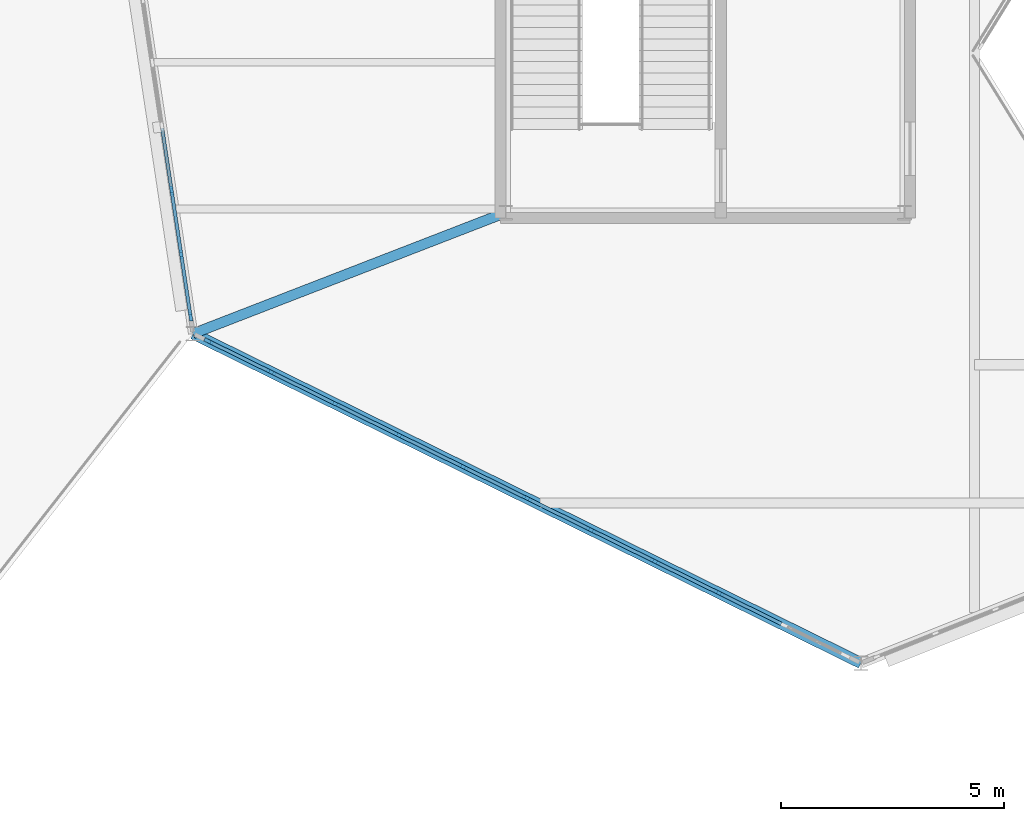
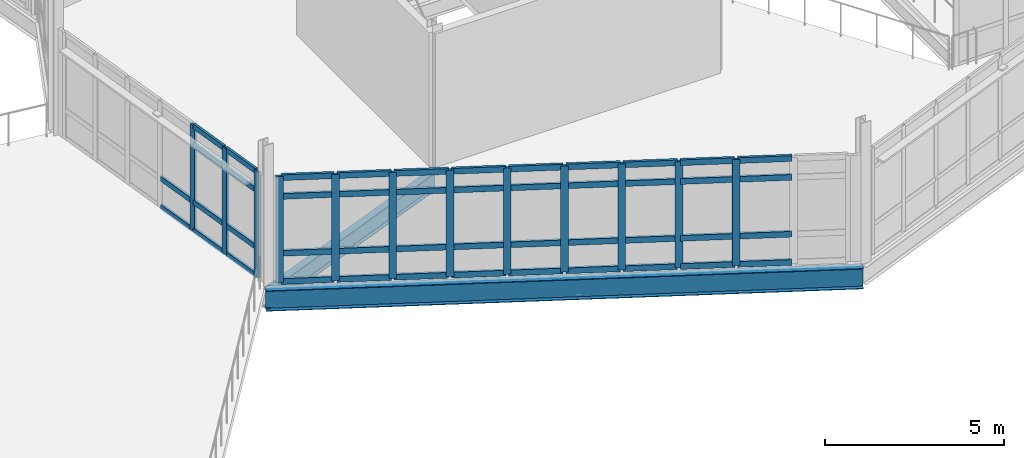
# One storey, part 26 of 114: 58 members, 2 beams, 2 elements without a shape of their own.
"""IFC4 building model written with IfcOpenShell, lengths in metres."""

from ifc_helpers import new_model, si_unit, direction, frame, origin, origin_2d, place, context, subcontext, project, spatial, rectangle, i_section, extrude, material, material_profile, profile_set, type_object, element, aggregate, save


model = new_model("IFC4")

# Units and contexts
model_context = context("Model", 3, precision=1e-05, world=origin(), true_north=direction((0.0, 1.0)))
body_context = subcontext(model_context, "Body", "Model", "MODEL_VIEW")
ifc_project = project(units=[si_unit("LENGTHUNIT", "METRE"), si_unit("AREAUNIT", "SQUARE_METRE"), si_unit("VOLUMEUNIT", "CUBIC_METRE"), si_unit("PLANEANGLEUNIT", "RADIAN"), si_unit("MASSUNIT", "GRAM", prefix="KILO")], contexts=[model_context])

# Site, building, storey
site_placement = place(None, origin())
site = spatial("IfcSite", under=ifc_project, at=site_placement, CompositionType="ELEMENT")
building_placement = place(site_placement, origin())
building = spatial("IfcBuilding", under=site, at=building_placement, Name="Tameran Prism Museum", CompositionType="ELEMENT")
storey_placement = place(building_placement, frame((0.0, 0.0, 10.199951171875)))
storey = spatial("IfcBuildingStorey", under=building, at=storey_placement, Name="L02", CompositionType="ELEMENT", Elevation=10.199951171875)

# Beams
ifc_material_1 = material(Name="Steel Grade 350 (350 MPa)", Category="steel")
ifc_material_profile_1 = material_profile(ifc_material_1, i_section(OverallWidth=0.25, OverallDepth=0.699951171875, WebThickness=0.010009765625, FlangeThickness=0.02001953125, at=origin_2d()))
ifc_profile_set_1 = profile_set([ifc_material_profile_1])
beam_type_1 = type_object("IfcBeamType", Name="BM-SP700", PredefinedType="SPANDREL", material=ifc_profile_set_1)
beam_1_placement = place(storey_placement, frame((51.0, 30.199951171875, -0.550048828125), z_axis=(0.896808201334, -0.44241954073, 0.0), x_axis=(0.44241954073, 0.896808201334, 0.0)))
element("IfcBeam", 1, at=beam_1_placement, inside=storey, type_object=beam_type_1, Name="Perimeter Spandrel SP-0680", PredefinedType="SPANDREL", context=body_context, shape_type="SweptSolid", body=[
    extrude(i_section(OverallWidth=0.25, OverallDepth=0.699951171875, WebThickness=0.010009765625, FlangeThickness=0.02001953125, at=origin_2d()), origin(), (0.0, 0.0, 1.0), 16.72607421875),
])
ifc_material_2 = material(Name="Steel Grade 300PLUS (300 MPa)", Category="steel")
ifc_material_profile_2 = material_profile(ifc_material_2, i_section(OverallWidth=0.22900390625, OverallDepth=0.612060546875, WebThickness=0.011962890625, FlangeThickness=0.01953125, FilletRadius=0.013916015625, at=origin_2d()))
ifc_profile_set_2 = profile_set([ifc_material_profile_2])
beam_type_2 = type_object("IfcBeamType", Name="BM-UB610A", PredefinedType="BEAM", material=ifc_profile_set_2)
beam_2_placement = place(storey_placement, frame((58.02001953125, 32.919921875, -0.56005859375), z_axis=(-0.932454302141, -0.361287938379, 0.0), x_axis=(0.361287938379, -0.932454302141, 0.0)))
element("IfcBeam", 2, at=beam_2_placement, inside=storey, type_object=beam_type_2, Name="Frame Tie Girder FG-1412", PredefinedType="BEAM", context=body_context, shape_type="SweptSolid", body=[
    extrude(i_section(OverallWidth=0.22900390625, OverallDepth=0.612060546875, WebThickness=0.011962890625, FlangeThickness=0.01953125, FilletRadius=0.013916015625, at=origin_2d()), origin(), (0.0, 0.0, 1.0), 7.528564453125),
])

# Curtain wall, members
ifc_material_3 = material(Name="Anodised Aluminium 6063-T6 and Cyclone Solar Glass", Category="aluminium")
curtain_wall_type_1 = type_object("IfcCurtainWallType", Name="CW-FAC-870x362", PredefinedType="USERDEFINED", material=ifc_material_3)
curtain_wall_1_placement = place(storey_placement, origin())
curtain_wall_1 = element("IfcCurtainWall", 3, at=curtain_wall_1_placement, inside=storey, type_object=curtain_wall_type_1, Name="Unitised Curtain Wall CW-105", ObjectType="UNITISED CURTAIN WALL", PredefinedType="USERDEFINED")
ifc_material_4 = material(Name="Anodised Aluminium Alloy 6063-T6", Category="aluminium")
ifc_material_profile_3 = material_profile(ifc_material_4, rectangle(XDim=0.074951171875, YDim=0.199951171875, at=origin_2d()))
ifc_profile_set_3 = profile_set([ifc_material_profile_3])
member_type_1 = type_object("IfcMemberType", Name="CW-MUL-C", PredefinedType="MULLION", material=ifc_profile_set_3)
member_1_placement = place(storey_placement, frame((50.9423828125, 30.5830078125, 0.0), z_axis=(0.0, 0.0, 1.0), x_axis=(-0.988855314933, -0.148879703546, 0.0)))
member_1 = element("IfcMember", 4, at=member_1_placement, type_object=member_type_1, Name="CW-105 mullion 1", PredefinedType="MULLION", context=body_context, shape_type="SweptSolid", body=[
    extrude(rectangle(XDim=0.074951171875, YDim=0.199951171875, at=origin_2d()), origin(), (0.0, 0.0, 1.0), 3.6201171875),
])
member_2_placement = place(storey_placement, frame((50.73193359375, 31.980712890625, 0.0), z_axis=(0.0, 0.0, 1.0), x_axis=(-0.988855314933, -0.148879703546, 0.0)))
member_2 = element("IfcMember", 5, at=member_2_placement, type_object=member_type_1, Name="CW-105 mullion 2", PredefinedType="MULLION", context=body_context, shape_type="SweptSolid", body=[
    extrude(rectangle(XDim=0.074951171875, YDim=0.199951171875, at=origin_2d()), origin(), (0.0, 0.0, 1.0), 3.6201171875),
])
member_3_placement = place(storey_placement, frame((50.51611328125, 33.415283203125, 0.0), z_axis=(0.0, 0.0, 1.0), x_axis=(-0.988855314933, -0.148879703546, 0.0)))
member_3 = element("IfcMember", 6, at=member_3_placement, type_object=member_type_1, Name="CW-105 mullion 3", PredefinedType="MULLION", context=body_context, shape_type="SweptSolid", body=[
    extrude(rectangle(XDim=0.074951171875, YDim=0.199951171875, at=origin_2d()), origin(), (0.0, 0.0, 1.0), 3.6201171875),
])

ifc_material_5 = material(Name="Anodised Aluminium 6063-T6 and Cyclone Solar Glass", Category="aluminium")
curtain_wall_type_2 = type_object("IfcCurtainWallType", Name="CW-FAC-1603x362", PredefinedType="USERDEFINED", material=ifc_material_5)
curtain_wall_2_placement = place(storey_placement, origin())
curtain_wall_2 = element("IfcCurtainWall", 7, at=curtain_wall_2_placement, inside=storey, type_object=curtain_wall_type_2, Name="Unitised Curtain Wall CW-106", ObjectType="UNITISED CURTAIN WALL", PredefinedType="USERDEFINED")
ifc_material_6 = material(Name="Anodised Aluminium Alloy 6063-T6", Category="aluminium")
ifc_material_profile_4 = material_profile(ifc_material_6, rectangle(XDim=0.080078125, YDim=0.219970703125, at=origin_2d()))
ifc_profile_set_4 = profile_set([ifc_material_profile_4])
member_type_2 = type_object("IfcMemberType", Name="CW-MUL-D", PredefinedType="MULLION", material=ifc_profile_set_4)
member_4_placement = place(storey_placement, frame((62.8115234375, 24.373046875, 0.0), z_axis=(0.0, 0.0, 1.0), x_axis=(-0.44241486846, -0.896810506275, 0.0)))
member_4 = element("IfcMember", 8, at=member_4_placement, type_object=member_type_2, Name="CW-106 mullion 3", PredefinedType="MULLION", context=body_context, shape_type="SweptSolid", body=[
    extrude(rectangle(XDim=0.080078125, YDim=0.219970703125, at=origin_2d()), origin(), (0.0, 0.0, 1.0), 3.6201171875),
])
member_5_placement = place(storey_placement, frame((61.37451171875, 25.08203125, 0.0), z_axis=(0.0, 0.0, 1.0), x_axis=(-0.44241486846, -0.896810506275, 0.0)))
member_5 = element("IfcMember", 9, at=member_5_placement, type_object=member_type_2, Name="CW-106 mullion 4", PredefinedType="MULLION", context=body_context, shape_type="SweptSolid", body=[
    extrude(rectangle(XDim=0.080078125, YDim=0.219970703125, at=origin_2d()), origin(), (0.0, 0.0, 1.0), 3.6201171875),
])
member_6_placement = place(storey_placement, frame((59.937255859375, 25.791015625, 0.0), z_axis=(0.0, 0.0, 1.0), x_axis=(-0.44241486846, -0.896810506275, 0.0)))
member_6 = element("IfcMember", 10, at=member_6_placement, type_object=member_type_2, Name="CW-106 mullion 5", PredefinedType="MULLION", context=body_context, shape_type="SweptSolid", body=[
    extrude(rectangle(XDim=0.080078125, YDim=0.219970703125, at=origin_2d()), origin(), (0.0, 0.0, 1.0), 3.6201171875),
])
member_7_placement = place(storey_placement, frame((58.5, 26.5, 0.0), z_axis=(0.0, 0.0, 1.0), x_axis=(-0.44241486846, -0.896810506275, 0.0)))
member_7 = element("IfcMember", 11, at=member_7_placement, type_object=member_type_2, Name="CW-106 mullion 6", PredefinedType="MULLION", context=body_context, shape_type="SweptSolid", body=[
    extrude(rectangle(XDim=0.080078125, YDim=0.219970703125, at=origin_2d()), origin(), (0.0, 0.0, 1.0), 3.6201171875),
])
member_8_placement = place(storey_placement, frame((57.062744140625, 27.208984375, 0.0), z_axis=(0.0, 0.0, 1.0), x_axis=(-0.44241486846, -0.896810506275, 0.0)))
member_8 = element("IfcMember", 12, at=member_8_placement, type_object=member_type_2, Name="CW-106 mullion 7", PredefinedType="MULLION", context=body_context, shape_type="SweptSolid", body=[
    extrude(rectangle(XDim=0.080078125, YDim=0.219970703125, at=origin_2d()), origin(), (0.0, 0.0, 1.0), 3.6201171875),
])
member_9_placement = place(storey_placement, frame((55.62548828125, 27.91796875, 0.0), z_axis=(0.0, 0.0, 1.0), x_axis=(-0.44241486846, -0.896810506275, 0.0)))
member_9 = element("IfcMember", 13, at=member_9_placement, type_object=member_type_2, Name="CW-106 mullion 8", PredefinedType="MULLION", context=body_context, shape_type="SweptSolid", body=[
    extrude(rectangle(XDim=0.080078125, YDim=0.219970703125, at=origin_2d()), origin(), (0.0, 0.0, 1.0), 3.6201171875),
])
member_10_placement = place(storey_placement, frame((54.1884765625, 28.626953125, 0.0), z_axis=(0.0, 0.0, 1.0), x_axis=(-0.44241486846, -0.896810506275, 0.0)))
member_10 = element("IfcMember", 14, at=member_10_placement, type_object=member_type_2, Name="CW-106 mullion 9", PredefinedType="MULLION", context=body_context, shape_type="SweptSolid", body=[
    extrude(rectangle(XDim=0.080078125, YDim=0.219970703125, at=origin_2d()), origin(), (0.0, 0.0, 1.0), 3.6201171875),
])
member_11_placement = place(storey_placement, frame((52.751220703125, 29.3359375, 0.0), z_axis=(0.0, 0.0, 1.0), x_axis=(-0.44241486846, -0.896810506275, 0.0)))
member_11 = element("IfcMember", 15, at=member_11_placement, type_object=member_type_2, Name="CW-106 mullion 10", PredefinedType="MULLION", context=body_context, shape_type="SweptSolid", body=[
    extrude(rectangle(XDim=0.080078125, YDim=0.219970703125, at=origin_2d()), origin(), (0.0, 0.0, 1.0), 3.6201171875),
])
member_12_placement = place(storey_placement, frame((51.349853515625, 30.02734375, 0.0), z_axis=(0.0, 0.0, 1.0), x_axis=(-0.44241486846, -0.896810506275, 0.0)))
member_12 = element("IfcMember", 16, at=member_12_placement, type_object=member_type_2, Name="CW-106 mullion 11", PredefinedType="MULLION", context=body_context, shape_type="SweptSolid", body=[
    extrude(rectangle(XDim=0.080078125, YDim=0.219970703125, at=origin_2d()), origin(), (0.0, 0.0, 1.0), 3.6201171875),
])

# Member
ifc_material_7 = material(Name="Anodised Aluminium Alloy 6063-T6", Category="aluminium")
ifc_material_profile_5 = material_profile(ifc_material_7, rectangle(XDim=0.074951171875, YDim=0.175048828125, at=origin_2d()))
ifc_profile_set_5 = profile_set([ifc_material_profile_5])
member_type_3 = type_object("IfcMemberType", Name="CW-TRN-C", PredefinedType="USERDEFINED", material=ifc_profile_set_5)
member_13_placement = place(storey_placement, frame((50.936767578125, 30.6201171875, 0.03759765625), z_axis=(-0.148848870067, 0.988859956657, 0.0), x_axis=(-0.988859956657, -0.148848870067, 0.0)))
member_13 = element("IfcMember", 17, at=member_13_placement, type_object=member_type_3, Name="CW-105 transom 1.1", ObjectType="TRANSOM", PredefinedType="USERDEFINED", context=body_context, shape_type="SweptSolid", body=[
    extrude(rectangle(XDim=0.074951171875, YDim=0.175048828125, at=origin_2d()), origin(), (0.0, 0.0, 1.0), 1.33837890625),
])

member_14_placement = place(storey_placement, frame((50.936767578125, 30.6201171875, 1.0), z_axis=(-0.148848870067, 0.988859956657, 0.0), x_axis=(-0.988859956657, -0.148848870067, 0.0)))
member_14 = element("IfcMember", 18, at=member_14_placement, type_object=member_type_3, Name="CW-105 transom 1.2", ObjectType="TRANSOM", PredefinedType="USERDEFINED", context=body_context, shape_type="SweptSolid", body=[
    extrude(rectangle(XDim=0.074951171875, YDim=0.175048828125, at=origin_2d()), origin(), (0.0, 0.0, 1.0), 1.33837890625),
])

member_15_placement = place(storey_placement, frame((50.936767578125, 30.6201171875, 2.93994140625), z_axis=(-0.148848870067, 0.988859956657, 0.0), x_axis=(-0.988859956657, -0.148848870067, 0.0)))
member_15 = element("IfcMember", 19, at=member_15_placement, type_object=member_type_3, Name="CW-105 transom 1.3", ObjectType="TRANSOM", PredefinedType="USERDEFINED", context=body_context, shape_type="SweptSolid", body=[
    extrude(rectangle(XDim=0.074951171875, YDim=0.175048828125, at=origin_2d()), origin(), (0.0, 0.0, 1.0), 1.33837890625),
])

member_16_placement = place(storey_placement, frame((50.936767578125, 30.6201171875, 3.58251953125), z_axis=(-0.148848870067, 0.988859956657, 0.0), x_axis=(-0.988859956657, -0.148848870067, 0.0)))
member_16 = element("IfcMember", 20, at=member_16_placement, type_object=member_type_3, Name="CW-105 transom 1.4", ObjectType="TRANSOM", PredefinedType="USERDEFINED", context=body_context, shape_type="SweptSolid", body=[
    extrude(rectangle(XDim=0.074951171875, YDim=0.175048828125, at=origin_2d()), origin(), (0.0, 0.0, 1.0), 1.33837890625),
])

member_17_placement = place(storey_placement, frame((50.726318359375, 32.017822265625, 0.03759765625), z_axis=(-0.148895831281, 0.988852886646, 0.0), x_axis=(-0.988852886646, -0.148895831281, 0.0)))
member_17 = element("IfcMember", 21, at=member_17_placement, type_object=member_type_3, Name="CW-105 transom 2.1", ObjectType="TRANSOM", PredefinedType="USERDEFINED", context=body_context, shape_type="SweptSolid", body=[
    extrude(rectangle(XDim=0.074951171875, YDim=0.175048828125, at=origin_2d()), origin(), (0.0, 0.0, 1.0), 1.375732421875),
])

member_18_placement = place(storey_placement, frame((50.726318359375, 32.017822265625, 1.0), z_axis=(-0.148895831281, 0.988852886646, 0.0), x_axis=(-0.988852886646, -0.148895831281, 0.0)))
member_18 = element("IfcMember", 22, at=member_18_placement, type_object=member_type_3, Name="CW-105 transom 2.2", ObjectType="TRANSOM", PredefinedType="USERDEFINED", context=body_context, shape_type="SweptSolid", body=[
    extrude(rectangle(XDim=0.074951171875, YDim=0.175048828125, at=origin_2d()), origin(), (0.0, 0.0, 1.0), 1.375732421875),
])

member_19_placement = place(storey_placement, frame((50.726318359375, 32.017822265625, 2.93994140625), z_axis=(-0.148895831281, 0.988852886646, 0.0), x_axis=(-0.988852886646, -0.148895831281, 0.0)))
member_19 = element("IfcMember", 23, at=member_19_placement, type_object=member_type_3, Name="CW-105 transom 2.3", ObjectType="TRANSOM", PredefinedType="USERDEFINED", context=body_context, shape_type="SweptSolid", body=[
    extrude(rectangle(XDim=0.074951171875, YDim=0.175048828125, at=origin_2d()), origin(), (0.0, 0.0, 1.0), 1.375732421875),
])

member_20_placement = place(storey_placement, frame((50.726318359375, 32.017822265625, 3.58251953125), z_axis=(-0.148895831281, 0.988852886646, 0.0), x_axis=(-0.988852886646, -0.148895831281, 0.0)))
member_20 = element("IfcMember", 24, at=member_20_placement, type_object=member_type_3, Name="CW-105 transom 2.4", ObjectType="TRANSOM", PredefinedType="USERDEFINED", context=body_context, shape_type="SweptSolid", body=[
    extrude(rectangle(XDim=0.074951171875, YDim=0.175048828125, at=origin_2d()), origin(), (0.0, 0.0, 1.0), 1.375732421875),
])

member_21_placement = place(storey_placement, frame((50.510498046875, 33.452392578125, 0.03759765625), z_axis=(-0.148869706091, 0.988856820075, 0.0), x_axis=(-0.988856820075, -0.148869706091, 0.0)))
member_21 = element("IfcMember", 25, at=member_21_placement, type_object=member_type_3, Name="CW-105 transom 3.1", ObjectType="TRANSOM", PredefinedType="USERDEFINED", context=body_context, shape_type="SweptSolid", body=[
    extrude(rectangle(XDim=0.074951171875, YDim=0.175048828125, at=origin_2d()), origin(), (0.0, 0.0, 1.0), 1.3759765625),
])

member_22_placement = place(storey_placement, frame((50.510498046875, 33.452392578125, 1.0), z_axis=(-0.148869706091, 0.988856820075, 0.0), x_axis=(-0.988856820075, -0.148869706091, 0.0)))
member_22 = element("IfcMember", 26, at=member_22_placement, type_object=member_type_3, Name="CW-105 transom 3.2", ObjectType="TRANSOM", PredefinedType="USERDEFINED", context=body_context, shape_type="SweptSolid", body=[
    extrude(rectangle(XDim=0.074951171875, YDim=0.175048828125, at=origin_2d()), origin(), (0.0, 0.0, 1.0), 1.3759765625),
])

aggregate(curtain_wall_1, [member_1, member_2, member_3, member_13, member_14, member_15, member_16, member_17, member_18, member_19, member_20, member_21, member_22])

ifc_material_8 = material(Name="Anodised Aluminium Alloy 6063-T6", Category="aluminium")
ifc_material_profile_6 = material_profile(ifc_material_8, rectangle(XDim=0.080078125, YDim=0.195068359375, at=origin_2d()))
ifc_profile_set_6 = profile_set([ifc_material_profile_6])
member_type_4 = type_object("IfcMemberType", Name="CW-TRN-D", PredefinedType="USERDEFINED", material=ifc_profile_set_6)
member_23_placement = place(storey_placement, frame((64.212890625, 23.681640625, 0.0400390625), z_axis=(-0.896819456741, 0.442396724683, 0.0), x_axis=(-0.442396724683, -0.896819456741, 0.0)))
member_23 = element("IfcMember", 27, at=member_23_placement, type_object=member_type_4, Name="CW-106 transom 2.1", ObjectType="TRANSOM", PredefinedType="USERDEFINED", context=body_context, shape_type="SweptSolid", body=[
    extrude(rectangle(XDim=0.080078125, YDim=0.195068359375, at=origin_2d()), origin(), (0.0, 0.0, 1.0), 1.5224609375),
])

member_24_placement = place(storey_placement, frame((64.212890625, 23.681640625, 1.0), z_axis=(-0.896819456741, 0.442396724683, 0.0), x_axis=(-0.442396724683, -0.896819456741, 0.0)))
member_24 = element("IfcMember", 28, at=member_24_placement, type_object=member_type_4, Name="CW-106 transom 2.2", ObjectType="TRANSOM", PredefinedType="USERDEFINED", context=body_context, shape_type="SweptSolid", body=[
    extrude(rectangle(XDim=0.080078125, YDim=0.195068359375, at=origin_2d()), origin(), (0.0, 0.0, 1.0), 1.5224609375),
])

member_25_placement = place(storey_placement, frame((64.212890625, 23.681640625, 2.93994140625), z_axis=(-0.896819456741, 0.442396724683, 0.0), x_axis=(-0.442396724683, -0.896819456741, 0.0)))
member_25 = element("IfcMember", 29, at=member_25_placement, type_object=member_type_4, Name="CW-106 transom 2.3", ObjectType="TRANSOM", PredefinedType="USERDEFINED", context=body_context, shape_type="SweptSolid", body=[
    extrude(rectangle(XDim=0.080078125, YDim=0.195068359375, at=origin_2d()), origin(), (0.0, 0.0, 1.0), 1.5224609375),
])

member_26_placement = place(storey_placement, frame((64.212890625, 23.681640625, 3.580078125), z_axis=(-0.896819456741, 0.442396724683, 0.0), x_axis=(-0.442396724683, -0.896819456741, 0.0)))
member_26 = element("IfcMember", 30, at=member_26_placement, type_object=member_type_4, Name="CW-106 transom 2.4", ObjectType="TRANSOM", PredefinedType="USERDEFINED", context=body_context, shape_type="SweptSolid", body=[
    extrude(rectangle(XDim=0.080078125, YDim=0.195068359375, at=origin_2d()), origin(), (0.0, 0.0, 1.0), 1.5224609375),
])

member_27_placement = place(storey_placement, frame((62.775634765625, 24.390625, 0.0400390625), z_axis=(-0.896819456741, 0.442396724683, 0.0), x_axis=(-0.442396724683, -0.896819456741, 0.0)))
member_27 = element("IfcMember", 31, at=member_27_placement, type_object=member_type_4, Name="CW-106 transom 3.1", ObjectType="TRANSOM", PredefinedType="USERDEFINED", context=body_context, shape_type="SweptSolid", body=[
    extrude(rectangle(XDim=0.080078125, YDim=0.195068359375, at=origin_2d()), origin(), (0.0, 0.0, 1.0), 1.5224609375),
])

member_28_placement = place(storey_placement, frame((62.775634765625, 24.390625, 1.0), z_axis=(-0.896819456741, 0.442396724683, 0.0), x_axis=(-0.442396724683, -0.896819456741, 0.0)))
member_28 = element("IfcMember", 32, at=member_28_placement, type_object=member_type_4, Name="CW-106 transom 3.2", ObjectType="TRANSOM", PredefinedType="USERDEFINED", context=body_context, shape_type="SweptSolid", body=[
    extrude(rectangle(XDim=0.080078125, YDim=0.195068359375, at=origin_2d()), origin(), (0.0, 0.0, 1.0), 1.5224609375),
])

member_29_placement = place(storey_placement, frame((62.775634765625, 24.390625, 2.93994140625), z_axis=(-0.896819456741, 0.442396724683, 0.0), x_axis=(-0.442396724683, -0.896819456741, 0.0)))
member_29 = element("IfcMember", 33, at=member_29_placement, type_object=member_type_4, Name="CW-106 transom 3.3", ObjectType="TRANSOM", PredefinedType="USERDEFINED", context=body_context, shape_type="SweptSolid", body=[
    extrude(rectangle(XDim=0.080078125, YDim=0.195068359375, at=origin_2d()), origin(), (0.0, 0.0, 1.0), 1.5224609375),
])

member_30_placement = place(storey_placement, frame((62.775634765625, 24.390625, 3.580078125), z_axis=(-0.896819456741, 0.442396724683, 0.0), x_axis=(-0.442396724683, -0.896819456741, 0.0)))
member_30 = element("IfcMember", 34, at=member_30_placement, type_object=member_type_4, Name="CW-106 transom 3.4", ObjectType="TRANSOM", PredefinedType="USERDEFINED", context=body_context, shape_type="SweptSolid", body=[
    extrude(rectangle(XDim=0.080078125, YDim=0.195068359375, at=origin_2d()), origin(), (0.0, 0.0, 1.0), 1.5224609375),
])

member_31_placement = place(storey_placement, frame((61.338623046875, 25.099609375, 0.0400390625), z_axis=(-0.896819456741, 0.442396724683, 0.0), x_axis=(-0.442396724683, -0.896819456741, 0.0)))
member_31 = element("IfcMember", 35, at=member_31_placement, type_object=member_type_4, Name="CW-106 transom 4.1", ObjectType="TRANSOM", PredefinedType="USERDEFINED", context=body_context, shape_type="SweptSolid", body=[
    extrude(rectangle(XDim=0.080078125, YDim=0.195068359375, at=origin_2d()), origin(), (0.0, 0.0, 1.0), 1.5224609375),
])

member_32_placement = place(storey_placement, frame((61.338623046875, 25.099609375, 1.0), z_axis=(-0.896819456741, 0.442396724683, 0.0), x_axis=(-0.442396724683, -0.896819456741, 0.0)))
member_32 = element("IfcMember", 36, at=member_32_placement, type_object=member_type_4, Name="CW-106 transom 4.2", ObjectType="TRANSOM", PredefinedType="USERDEFINED", context=body_context, shape_type="SweptSolid", body=[
    extrude(rectangle(XDim=0.080078125, YDim=0.195068359375, at=origin_2d()), origin(), (0.0, 0.0, 1.0), 1.5224609375),
])

member_33_placement = place(storey_placement, frame((61.338623046875, 25.099609375, 2.93994140625), z_axis=(-0.896819456741, 0.442396724683, 0.0), x_axis=(-0.442396724683, -0.896819456741, 0.0)))
member_33 = element("IfcMember", 37, at=member_33_placement, type_object=member_type_4, Name="CW-106 transom 4.3", ObjectType="TRANSOM", PredefinedType="USERDEFINED", context=body_context, shape_type="SweptSolid", body=[
    extrude(rectangle(XDim=0.080078125, YDim=0.195068359375, at=origin_2d()), origin(), (0.0, 0.0, 1.0), 1.5224609375),
])

member_34_placement = place(storey_placement, frame((61.338623046875, 25.099609375, 3.580078125), z_axis=(-0.896819456741, 0.442396724683, 0.0), x_axis=(-0.442396724683, -0.896819456741, 0.0)))
member_34 = element("IfcMember", 38, at=member_34_placement, type_object=member_type_4, Name="CW-106 transom 4.4", ObjectType="TRANSOM", PredefinedType="USERDEFINED", context=body_context, shape_type="SweptSolid", body=[
    extrude(rectangle(XDim=0.080078125, YDim=0.195068359375, at=origin_2d()), origin(), (0.0, 0.0, 1.0), 1.5224609375),
])

member_35_placement = place(storey_placement, frame((59.9013671875, 25.80859375, 0.0400390625), z_axis=(-0.896755834406, 0.44252567548, 0.0), x_axis=(-0.44252567548, -0.896755834406, 0.0)))
member_35 = element("IfcMember", 39, at=member_35_placement, type_object=member_type_4, Name="CW-106 transom 5.1", ObjectType="TRANSOM", PredefinedType="USERDEFINED", context=body_context, shape_type="SweptSolid", body=[
    extrude(rectangle(XDim=0.080078125, YDim=0.195068359375, at=origin_2d()), origin(), (0.0, 0.0, 1.0), 1.522705078125),
])

member_36_placement = place(storey_placement, frame((59.9013671875, 25.80859375, 1.0), z_axis=(-0.896755834406, 0.44252567548, 0.0), x_axis=(-0.44252567548, -0.896755834406, 0.0)))
member_36 = element("IfcMember", 40, at=member_36_placement, type_object=member_type_4, Name="CW-106 transom 5.2", ObjectType="TRANSOM", PredefinedType="USERDEFINED", context=body_context, shape_type="SweptSolid", body=[
    extrude(rectangle(XDim=0.080078125, YDim=0.195068359375, at=origin_2d()), origin(), (0.0, 0.0, 1.0), 1.522705078125),
])

member_37_placement = place(storey_placement, frame((59.9013671875, 25.80859375, 2.93994140625), z_axis=(-0.896755834406, 0.44252567548, 0.0), x_axis=(-0.44252567548, -0.896755834406, 0.0)))
member_37 = element("IfcMember", 41, at=member_37_placement, type_object=member_type_4, Name="CW-106 transom 5.3", ObjectType="TRANSOM", PredefinedType="USERDEFINED", context=body_context, shape_type="SweptSolid", body=[
    extrude(rectangle(XDim=0.080078125, YDim=0.195068359375, at=origin_2d()), origin(), (0.0, 0.0, 1.0), 1.522705078125),
])

member_38_placement = place(storey_placement, frame((59.9013671875, 25.80859375, 3.580078125), z_axis=(-0.896755834406, 0.44252567548, 0.0), x_axis=(-0.44252567548, -0.896755834406, 0.0)))
member_38 = element("IfcMember", 42, at=member_38_placement, type_object=member_type_4, Name="CW-106 transom 5.4", ObjectType="TRANSOM", PredefinedType="USERDEFINED", context=body_context, shape_type="SweptSolid", body=[
    extrude(rectangle(XDim=0.080078125, YDim=0.195068359375, at=origin_2d()), origin(), (0.0, 0.0, 1.0), 1.522705078125),
])

member_39_placement = place(storey_placement, frame((58.464111328125, 26.517578125, 0.0400390625), z_axis=(-0.896755834406, 0.44252567548, 0.0), x_axis=(-0.44252567548, -0.896755834406, 0.0)))
member_39 = element("IfcMember", 43, at=member_39_placement, type_object=member_type_4, Name="CW-106 transom 6.1", ObjectType="TRANSOM", PredefinedType="USERDEFINED", context=body_context, shape_type="SweptSolid", body=[
    extrude(rectangle(XDim=0.080078125, YDim=0.195068359375, at=origin_2d()), origin(), (0.0, 0.0, 1.0), 1.522705078125),
])

member_40_placement = place(storey_placement, frame((58.464111328125, 26.517578125, 1.0), z_axis=(-0.896755834406, 0.44252567548, 0.0), x_axis=(-0.44252567548, -0.896755834406, 0.0)))
member_40 = element("IfcMember", 44, at=member_40_placement, type_object=member_type_4, Name="CW-106 transom 6.2", ObjectType="TRANSOM", PredefinedType="USERDEFINED", context=body_context, shape_type="SweptSolid", body=[
    extrude(rectangle(XDim=0.080078125, YDim=0.195068359375, at=origin_2d()), origin(), (0.0, 0.0, 1.0), 1.522705078125),
])

member_41_placement = place(storey_placement, frame((58.464111328125, 26.517578125, 2.93994140625), z_axis=(-0.896755834406, 0.44252567548, 0.0), x_axis=(-0.44252567548, -0.896755834406, 0.0)))
member_41 = element("IfcMember", 45, at=member_41_placement, type_object=member_type_4, Name="CW-106 transom 6.3", ObjectType="TRANSOM", PredefinedType="USERDEFINED", context=body_context, shape_type="SweptSolid", body=[
    extrude(rectangle(XDim=0.080078125, YDim=0.195068359375, at=origin_2d()), origin(), (0.0, 0.0, 1.0), 1.522705078125),
])

member_42_placement = place(storey_placement, frame((58.464111328125, 26.517578125, 3.580078125), z_axis=(-0.896755834406, 0.44252567548, 0.0), x_axis=(-0.44252567548, -0.896755834406, 0.0)))
member_42 = element("IfcMember", 46, at=member_42_placement, type_object=member_type_4, Name="CW-106 transom 6.4", ObjectType="TRANSOM", PredefinedType="USERDEFINED", context=body_context, shape_type="SweptSolid", body=[
    extrude(rectangle(XDim=0.080078125, YDim=0.195068359375, at=origin_2d()), origin(), (0.0, 0.0, 1.0), 1.522705078125),
])

member_43_placement = place(storey_placement, frame((57.02685546875, 27.226806640625, 0.0400390625), z_axis=(-0.896819456741, 0.442396724683, 0.0), x_axis=(-0.442396724683, -0.896819456741, 0.0)))
member_43 = element("IfcMember", 47, at=member_43_placement, type_object=member_type_4, Name="CW-106 transom 7.1", ObjectType="TRANSOM", PredefinedType="USERDEFINED", context=body_context, shape_type="SweptSolid", body=[
    extrude(rectangle(XDim=0.080078125, YDim=0.195068359375, at=origin_2d()), origin(), (0.0, 0.0, 1.0), 1.5224609375),
])

member_44_placement = place(storey_placement, frame((57.02685546875, 27.226806640625, 1.0), z_axis=(-0.896819456741, 0.442396724683, 0.0), x_axis=(-0.442396724683, -0.896819456741, 0.0)))
member_44 = element("IfcMember", 48, at=member_44_placement, type_object=member_type_4, Name="CW-106 transom 7.2", ObjectType="TRANSOM", PredefinedType="USERDEFINED", context=body_context, shape_type="SweptSolid", body=[
    extrude(rectangle(XDim=0.080078125, YDim=0.195068359375, at=origin_2d()), origin(), (0.0, 0.0, 1.0), 1.5224609375),
])

member_45_placement = place(storey_placement, frame((57.02685546875, 27.226806640625, 2.93994140625), z_axis=(-0.896819456741, 0.442396724683, 0.0), x_axis=(-0.442396724683, -0.896819456741, 0.0)))
member_45 = element("IfcMember", 49, at=member_45_placement, type_object=member_type_4, Name="CW-106 transom 7.3", ObjectType="TRANSOM", PredefinedType="USERDEFINED", context=body_context, shape_type="SweptSolid", body=[
    extrude(rectangle(XDim=0.080078125, YDim=0.195068359375, at=origin_2d()), origin(), (0.0, 0.0, 1.0), 1.5224609375),
])

member_46_placement = place(storey_placement, frame((57.02685546875, 27.226806640625, 3.580078125), z_axis=(-0.896819456741, 0.442396724683, 0.0), x_axis=(-0.442396724683, -0.896819456741, 0.0)))
member_46 = element("IfcMember", 50, at=member_46_placement, type_object=member_type_4, Name="CW-106 transom 7.4", ObjectType="TRANSOM", PredefinedType="USERDEFINED", context=body_context, shape_type="SweptSolid", body=[
    extrude(rectangle(XDim=0.080078125, YDim=0.195068359375, at=origin_2d()), origin(), (0.0, 0.0, 1.0), 1.5224609375),
])

member_47_placement = place(storey_placement, frame((55.58984375, 27.935791015625, 0.0400390625), z_axis=(-0.896819456741, 0.442396724683, 0.0), x_axis=(-0.442396724683, -0.896819456741, 0.0)))
member_47 = element("IfcMember", 51, at=member_47_placement, type_object=member_type_4, Name="CW-106 transom 8.1", ObjectType="TRANSOM", PredefinedType="USERDEFINED", context=body_context, shape_type="SweptSolid", body=[
    extrude(rectangle(XDim=0.080078125, YDim=0.195068359375, at=origin_2d()), origin(), (0.0, 0.0, 1.0), 1.5224609375),
])

member_48_placement = place(storey_placement, frame((55.58984375, 27.935791015625, 1.0), z_axis=(-0.896819456741, 0.442396724683, 0.0), x_axis=(-0.442396724683, -0.896819456741, 0.0)))
member_48 = element("IfcMember", 52, at=member_48_placement, type_object=member_type_4, Name="CW-106 transom 8.2", ObjectType="TRANSOM", PredefinedType="USERDEFINED", context=body_context, shape_type="SweptSolid", body=[
    extrude(rectangle(XDim=0.080078125, YDim=0.195068359375, at=origin_2d()), origin(), (0.0, 0.0, 1.0), 1.5224609375),
])

member_49_placement = place(storey_placement, frame((55.58984375, 27.935791015625, 2.93994140625), z_axis=(-0.896819456741, 0.442396724683, 0.0), x_axis=(-0.442396724683, -0.896819456741, 0.0)))
member_49 = element("IfcMember", 53, at=member_49_placement, type_object=member_type_4, Name="CW-106 transom 8.3", ObjectType="TRANSOM", PredefinedType="USERDEFINED", context=body_context, shape_type="SweptSolid", body=[
    extrude(rectangle(XDim=0.080078125, YDim=0.195068359375, at=origin_2d()), origin(), (0.0, 0.0, 1.0), 1.5224609375),
])

member_50_placement = place(storey_placement, frame((55.58984375, 27.935791015625, 3.580078125), z_axis=(-0.896819456741, 0.442396724683, 0.0), x_axis=(-0.442396724683, -0.896819456741, 0.0)))
member_50 = element("IfcMember", 54, at=member_50_placement, type_object=member_type_4, Name="CW-106 transom 8.4", ObjectType="TRANSOM", PredefinedType="USERDEFINED", context=body_context, shape_type="SweptSolid", body=[
    extrude(rectangle(XDim=0.080078125, YDim=0.195068359375, at=origin_2d()), origin(), (0.0, 0.0, 1.0), 1.5224609375),
])

member_51_placement = place(storey_placement, frame((54.152587890625, 28.644775390625, 0.0400390625), z_axis=(-0.896819456741, 0.442396724683, 0.0), x_axis=(-0.442396724683, -0.896819456741, 0.0)))
member_51 = element("IfcMember", 55, at=member_51_placement, type_object=member_type_4, Name="CW-106 transom 9.1", ObjectType="TRANSOM", PredefinedType="USERDEFINED", context=body_context, shape_type="SweptSolid", body=[
    extrude(rectangle(XDim=0.080078125, YDim=0.195068359375, at=origin_2d()), origin(), (0.0, 0.0, 1.0), 1.5224609375),
])

member_52_placement = place(storey_placement, frame((54.152587890625, 28.644775390625, 1.0), z_axis=(-0.896819456741, 0.442396724683, 0.0), x_axis=(-0.442396724683, -0.896819456741, 0.0)))
member_52 = element("IfcMember", 56, at=member_52_placement, type_object=member_type_4, Name="CW-106 transom 9.2", ObjectType="TRANSOM", PredefinedType="USERDEFINED", context=body_context, shape_type="SweptSolid", body=[
    extrude(rectangle(XDim=0.080078125, YDim=0.195068359375, at=origin_2d()), origin(), (0.0, 0.0, 1.0), 1.5224609375),
])

member_53_placement = place(storey_placement, frame((54.152587890625, 28.644775390625, 2.93994140625), z_axis=(-0.896819456741, 0.442396724683, 0.0), x_axis=(-0.442396724683, -0.896819456741, 0.0)))
member_53 = element("IfcMember", 57, at=member_53_placement, type_object=member_type_4, Name="CW-106 transom 9.3", ObjectType="TRANSOM", PredefinedType="USERDEFINED", context=body_context, shape_type="SweptSolid", body=[
    extrude(rectangle(XDim=0.080078125, YDim=0.195068359375, at=origin_2d()), origin(), (0.0, 0.0, 1.0), 1.5224609375),
])

member_54_placement = place(storey_placement, frame((54.152587890625, 28.644775390625, 3.580078125), z_axis=(-0.896819456741, 0.442396724683, 0.0), x_axis=(-0.442396724683, -0.896819456741, 0.0)))
member_54 = element("IfcMember", 58, at=member_54_placement, type_object=member_type_4, Name="CW-106 transom 9.4", ObjectType="TRANSOM", PredefinedType="USERDEFINED", context=body_context, shape_type="SweptSolid", body=[
    extrude(rectangle(XDim=0.080078125, YDim=0.195068359375, at=origin_2d()), origin(), (0.0, 0.0, 1.0), 1.5224609375),
])

member_55_placement = place(storey_placement, frame((52.71533203125, 29.353759765625, 0.0400390625), z_axis=(-0.896851182576, 0.442332404774, 0.0), x_axis=(-0.442332404774, -0.896851182576, 0.0)))
member_55 = element("IfcMember", 59, at=member_55_placement, type_object=member_type_4, Name="CW-106 transom 10.1", ObjectType="TRANSOM", PredefinedType="USERDEFINED", context=body_context, shape_type="SweptSolid", body=[
    extrude(rectangle(XDim=0.080078125, YDim=0.195068359375, at=origin_2d()), origin(), (0.0, 0.0, 1.0), 1.482421875),
])

member_56_placement = place(storey_placement, frame((52.71533203125, 29.353759765625, 1.0), z_axis=(-0.896851182576, 0.442332404774, 0.0), x_axis=(-0.442332404774, -0.896851182576, 0.0)))
member_56 = element("IfcMember", 60, at=member_56_placement, type_object=member_type_4, Name="CW-106 transom 10.2", ObjectType="TRANSOM", PredefinedType="USERDEFINED", context=body_context, shape_type="SweptSolid", body=[
    extrude(rectangle(XDim=0.080078125, YDim=0.195068359375, at=origin_2d()), origin(), (0.0, 0.0, 1.0), 1.482421875),
])

member_57_placement = place(storey_placement, frame((52.71533203125, 29.353759765625, 2.93994140625), z_axis=(-0.896851182576, 0.442332404774, 0.0), x_axis=(-0.442332404774, -0.896851182576, 0.0)))
member_57 = element("IfcMember", 61, at=member_57_placement, type_object=member_type_4, Name="CW-106 transom 10.3", ObjectType="TRANSOM", PredefinedType="USERDEFINED", context=body_context, shape_type="SweptSolid", body=[
    extrude(rectangle(XDim=0.080078125, YDim=0.195068359375, at=origin_2d()), origin(), (0.0, 0.0, 1.0), 1.482421875),
])

member_58_placement = place(storey_placement, frame((52.71533203125, 29.353759765625, 3.580078125), z_axis=(-0.896851182576, 0.442332404774, 0.0), x_axis=(-0.442332404774, -0.896851182576, 0.0)))
member_58 = element("IfcMember", 62, at=member_58_placement, type_object=member_type_4, Name="CW-106 transom 10.4", ObjectType="TRANSOM", PredefinedType="USERDEFINED", context=body_context, shape_type="SweptSolid", body=[
    extrude(rectangle(XDim=0.080078125, YDim=0.195068359375, at=origin_2d()), origin(), (0.0, 0.0, 1.0), 1.482421875),
])

aggregate(curtain_wall_2, [member_4, member_5, member_6, member_7, member_8, member_9, member_10, member_11, member_12, member_23, member_24, member_25, member_26, member_27, member_28, member_29, member_30, member_31, member_32, member_33, member_34, member_35, member_36, member_37, member_38, member_39, member_40, member_41, member_42, member_43, member_44, member_45, member_46, member_47, member_48, member_49, member_50, member_51, member_52, member_53, member_54, member_55, member_56, member_57, member_58])

save(model, "model.ifc")
